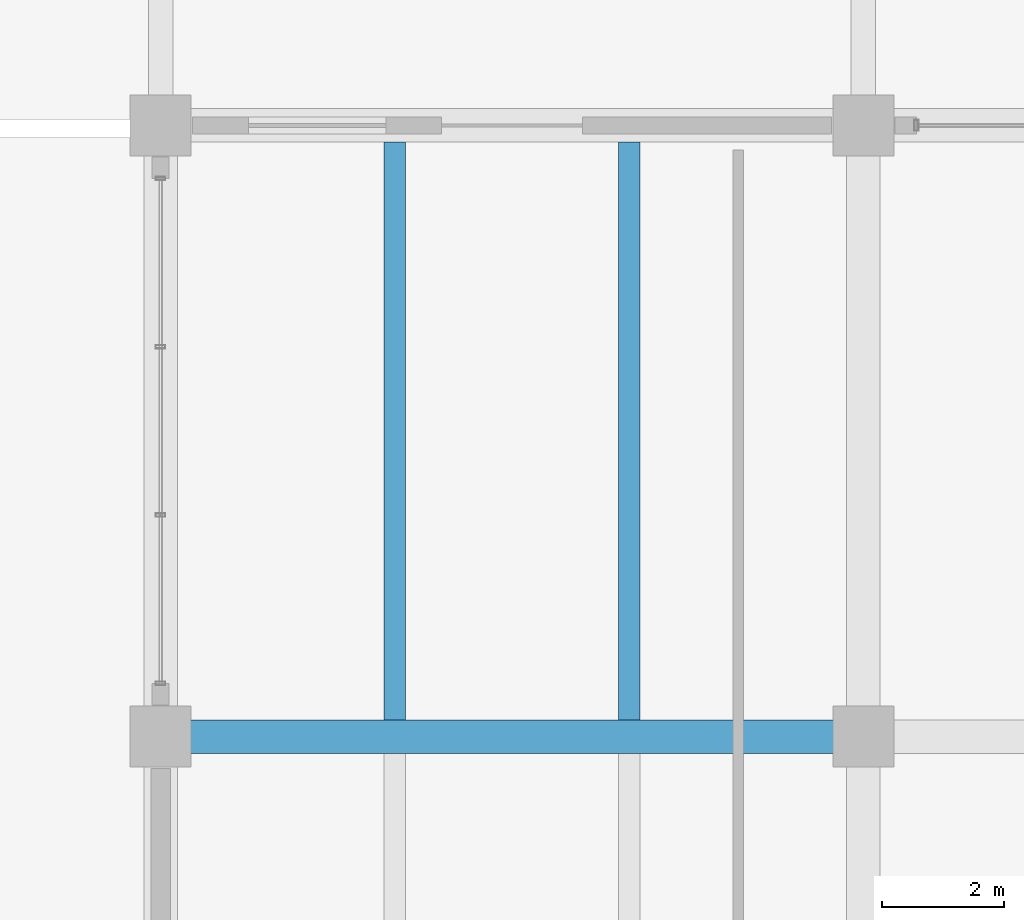
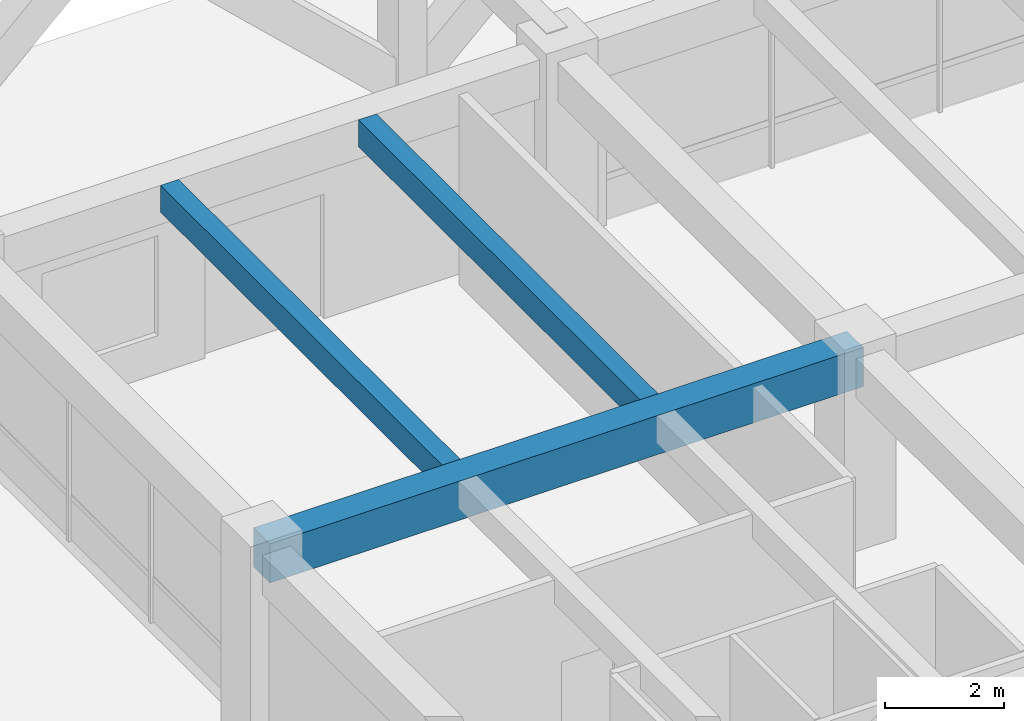
# One storey, part 51 of 109: 3 beams.
"""IFC4 building model written with IfcOpenShell, lengths in metres."""

from ifc_helpers import new_model, si_unit, direction, frame, origin, origin_2d, place, context, subcontext, project, spatial, rectangle, extrude, material, material_profile, profile_set, type_object, element, save


model = new_model("IFC4")

# Units and contexts
model_context = context("Model", 3, precision=1e-05, world=origin(), true_north=direction((0.0, 1.0)))
body_context = subcontext(model_context, "Body", "Model", "MODEL_VIEW")
ifc_project = project(units=[si_unit("LENGTHUNIT", "METRE"), si_unit("AREAUNIT", "SQUARE_METRE"), si_unit("VOLUMEUNIT", "CUBIC_METRE"), si_unit("PLANEANGLEUNIT", "RADIAN"), si_unit("MASSUNIT", "GRAM", prefix="KILO")], contexts=[model_context])

# Site, building, storey
site_placement = place(None, origin())
site = spatial("IfcSite", under=ifc_project, at=site_placement, CompositionType="ELEMENT")
building_placement = place(site_placement, origin())
building = spatial("IfcBuilding", under=site, at=building_placement, Name="Ologun Quay Terminus", CompositionType="ELEMENT")
storey_placement = place(building_placement, origin())
storey = spatial("IfcBuildingStorey", under=building, at=storey_placement, Name="L00", CompositionType="ELEMENT", Elevation=0.0)

# Beams
ifc_material_1 = material(Name="Concrete C40/50", Category="concrete")
ifc_material_profile_1 = material_profile(ifc_material_1, rectangle(XDim=0.550048828125, YDim=0.800048828125, at=origin_2d()), Name="RC 550x800")
ifc_profile_set_1 = profile_set([ifc_material_profile_1], Name="Concrete C40/50")
beam_type_1 = type_object("IfcBeamType", Name="Courtyard Wing Primary Girder 550x800", PredefinedType="BEAM", material=ifc_profile_set_1)
beam_placement = place(storey_placement, frame((115.0, 104.800048828125, 3.550048828125), z_axis=(1.0, 0.0, 0.0), x_axis=(0.0, 1.0, 0.0)))
element("IfcBeam", 1, at=beam_placement, inside=storey, type_object=beam_type_1, Name="B4 Beam 11/J L00", PredefinedType="BEAM", context=body_context, shape_type="SweptSolid", body=[
    extrude(rectangle(XDim=0.550048828125, YDim=0.800048828125, at=origin_2d()), origin(), (0.0, 0.0, 1.0), 11.5),
])
ifc_material_2 = material(Name="Concrete C40/50", Category="concrete")
ifc_material_profile_2 = material_profile(ifc_material_2, rectangle(XDim=0.35009765625, YDim=0.550048828125, at=origin_2d()), Name="RC 350x550")
ifc_profile_set_2 = profile_set([ifc_material_profile_2], Name="Concrete C40/50")
beam_type_2 = type_object("IfcBeamType", Name="Courtyard Wing Secondary Joist 350x550", PredefinedType="JOIST", material=ifc_profile_set_2)
for number, where, z_axis, x_axis, name in (
    (2, (118.833251953125, 105.074951171875, 3.675048828125), (0.0, 1.0, 0.0), (-1.0, 0.0, 0.0), "J2 Beam 11/J L00"),
    (3, (122.666748046875, 105.074951171875, 3.675048828125), (0.0, 1.0, 0.0), (-1.0, 0.0, 0.0), "J2 Beam 11/J L00"),
):
    element("IfcBeam", number, at=place(storey_placement, frame(where, z_axis=z_axis, x_axis=x_axis)), inside=storey, type_object=beam_type_2, Name=name, PredefinedType="JOIST", context=body_context, shape_type="SweptSolid", body=[
        extrude(rectangle(XDim=0.35009765625, YDim=0.550048828125, at=origin_2d()), origin(), (0.0, 0.0, 1.0), 9.449951171875),
    ])

save(model, "model.ifc")
